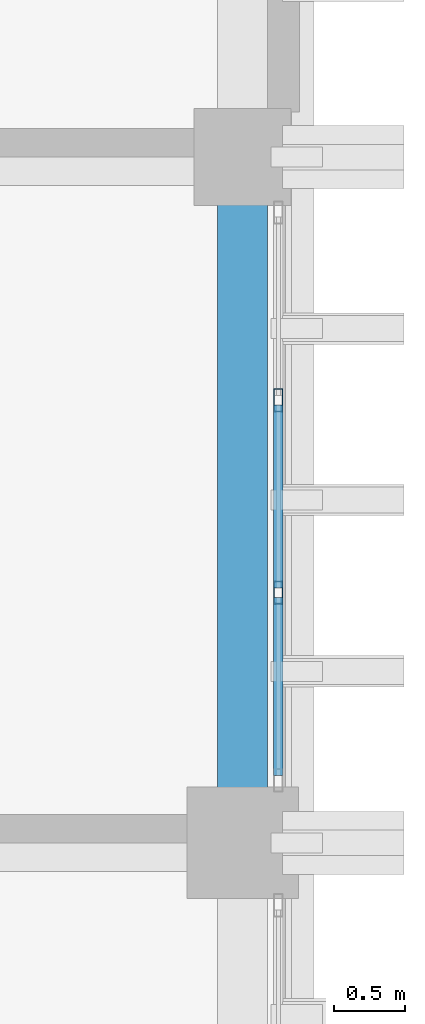
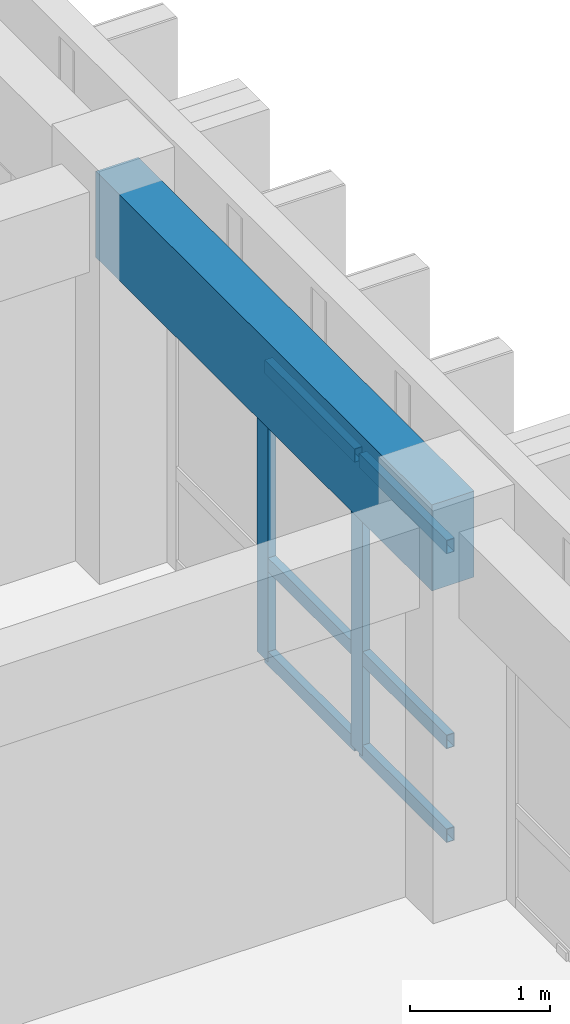
# One storey, part 30 of 68: 8 members, 1 beam, 1 element without a shape of its own.
"""IFC4 building model written with IfcOpenShell, lengths in metres."""

from ifc_helpers import new_model, si_unit, direction, frame, origin, origin_2d, place, context, subcontext, project, spatial, rectangle, hollow_rectangle, extrude, material, layer, layer_set, material_profile, profile_set, type_object, element, aggregate, save


model = new_model("IFC4")

# Units and contexts
model_context = context("Model", 3, precision=1e-05, world=origin(), true_north=direction((0.0, 1.0)))
body_context = subcontext(model_context, "Body", "Model", "MODEL_VIEW")
ifc_project = project(units=[si_unit("LENGTHUNIT", "METRE"), si_unit("AREAUNIT", "SQUARE_METRE"), si_unit("VOLUMEUNIT", "CUBIC_METRE"), si_unit("PLANEANGLEUNIT", "RADIAN"), si_unit("MASSUNIT", "GRAM", prefix="KILO")], contexts=[model_context])

# Site, building, storey
site_placement = place(None, origin())
site = spatial("IfcSite", under=ifc_project, at=site_placement, CompositionType="ELEMENT")
building_placement = place(site_placement, origin())
building = spatial("IfcBuilding", under=site, at=building_placement, Name="Nakhvara Creek Congress Hotel", CompositionType="ELEMENT")
storey_placement = place(building_placement, frame((0.0, 0.0, 24.60009765625)))
storey = spatial("IfcBuildingStorey", under=building, at=storey_placement, Name="L05", CompositionType="ELEMENT", Elevation=24.60009765625)

# Beam
ifc_material_1 = material(Name="Concrete C40/50", Category="concrete")
ifc_material_profile_1 = material_profile(ifc_material_1, rectangle(XDim=0.35009765625, YDim=0.75, at=origin_2d()), Name="RC-SPANDREL 350x750", Category="LoadBearing")
ifc_profile_set_1 = profile_set([ifc_material_profile_1], Name="Concrete C40/50")
beam_type = type_object("IfcBeamType", Name="BM-SPN-350X750", PredefinedType="SPANDREL", material=ifc_profile_set_1)
beam_placement = place(storey_placement, frame((179.35009765625, 76.800048828125, 2.96484375), z_axis=(0.0, 1.0, 0.0), x_axis=(-1.0, 0.0, 0.0)))
element("IfcBeam", 1, at=beam_placement, inside=storey, type_object=beam_type, Name="Beam SP1-L05-2157", PredefinedType="SPANDREL", context=body_context, shape_type="SweptSolid", body=[
    extrude(rectangle(XDim=0.35009765625, YDim=0.75, at=origin_2d()), origin(), (0.0, 0.0, 1.0), 4.800048828125),
])

# Curtain wall, members
ifc_material_2 = material(Name="Bronze-anodised aluminium AW-6063-T6 and double-silver low-E glass", Category="aluminium")
ifc_layer = layer(ifc_material_2, 0.199951171875)
ifc_layer_set = layer_set([ifc_layer], Name="Bronze-anodised aluminium AW-6063-T6 and double-silver low-E glass")
curtain_wall_type = type_object("IfcCurtainWallType", Name="CW-HTL-UNIT", PredefinedType="USERDEFINED", material=ifc_layer_set)
curtain_wall_placement = place(storey_placement, origin())
curtain_wall = element("IfcCurtainWall", 2, at=curtain_wall_placement, inside=storey, type_object=curtain_wall_type, Name="Curtain Wall CW216", ObjectType="UNITISED", PredefinedType="USERDEFINED")
ifc_material_3 = material(Name="Bronze-anodised aluminium AW-6063-T6", Category="aluminium")
ifc_material_profile_2 = material_profile(ifc_material_3, hollow_rectangle(XDim=0.06494140625, YDim=0.159912109375, WallThickness=0.00390625, at=origin_2d()), Name="ALU-MULL 65x160x4", Category="LoadBearing")
ifc_profile_set_2 = profile_set([ifc_material_profile_2], Name="Bronze-anodised aluminium AW-6063-T6")
member_type_1 = type_object("IfcMemberType", Name="CW-MULL-160", PredefinedType="MULLION", material=ifc_profile_set_2)
member_1_placement = place(storey_placement, frame((179.60009765625, 79.8984375, 0.0), z_axis=(0.0, 0.0, 1.0), x_axis=(1.0, 0.0, 0.0)))
member_1 = element("IfcMember", 3, at=member_1_placement, type_object=member_type_1, Name="CW216 mullion 2", PredefinedType="MULLION", context=body_context, shape_type="SweptSolid", body=[
    extrude(hollow_rectangle(XDim=0.06494140625, YDim=0.159912109375, WallThickness=0.00390625, at=origin_2d()), origin(), (0.0, 0.0, 1.0), 2.581787109375),
])
member_2_placement = place(storey_placement, frame((179.60009765625, 78.5517578125, 0.0), z_axis=(0.0, 0.0, 1.0), x_axis=(1.0, 0.0, 0.0)))
member_2 = element("IfcMember", 4, at=member_2_placement, type_object=member_type_1, Name="CW216 mullion 3", PredefinedType="MULLION", context=body_context, shape_type="SweptSolid", body=[
    extrude(hollow_rectangle(XDim=0.06494140625, YDim=0.159912109375, WallThickness=0.00390625, at=origin_2d()), origin(), (0.0, 0.0, 1.0), 2.581787109375),
])
ifc_material_profile_3 = material_profile(ifc_material_3, hollow_rectangle(XDim=0.06494140625, YDim=0.1201171875, WallThickness=0.00390625, at=origin_2d()), Name="ALU-TRAN 65x120x4", Category="LoadBearing")
ifc_profile_set_3 = profile_set([ifc_material_profile_3], Name="Bronze-anodised aluminium AW-6063-T6")
member_type_2 = type_object("IfcMemberType", Name="CW-TRAN-120", PredefinedType="USERDEFINED", material=ifc_profile_set_3)
member_3_placement = place(storey_placement, frame((179.60009765625, 79.86572265625, 0.032470703125), z_axis=(0.0, -1.0, 0.0), x_axis=(1.0, 0.0, 0.0)))
member_3 = element("IfcMember", 5, at=member_3_placement, type_object=member_type_2, Name="CW216 transom 2.1", ObjectType="TRANSOM", PredefinedType="USERDEFINED", context=body_context, shape_type="SweptSolid", body=[
    extrude(hollow_rectangle(XDim=0.06494140625, YDim=0.1201171875, WallThickness=0.00390625, at=origin_2d()), origin(), (0.0, 0.0, 1.0), 1.281494140625),
])
member_4_placement = place(storey_placement, frame((179.60009765625, 79.86572265625, 0.849853515625), z_axis=(0.0, -1.0, 0.0), x_axis=(1.0, 0.0, 0.0)))
member_4 = element("IfcMember", 6, at=member_4_placement, type_object=member_type_2, Name="CW216 transom 2.2", ObjectType="TRANSOM", PredefinedType="USERDEFINED", context=body_context, shape_type="SweptSolid", body=[
    extrude(hollow_rectangle(XDim=0.06494140625, YDim=0.1201171875, WallThickness=0.00390625, at=origin_2d()), origin(), (0.0, 0.0, 1.0), 1.281494140625),
])
member_5_placement = place(storey_placement, frame((179.60009765625, 79.86572265625, 2.54931640625), z_axis=(0.0, -1.0, 0.0), x_axis=(1.0, 0.0, 0.0)))
member_5 = element("IfcMember", 7, at=member_5_placement, type_object=member_type_2, Name="CW216 transom 2.3", ObjectType="TRANSOM", PredefinedType="USERDEFINED", context=body_context, shape_type="SweptSolid", body=[
    extrude(hollow_rectangle(XDim=0.06494140625, YDim=0.1201171875, WallThickness=0.00390625, at=origin_2d()), origin(), (0.0, 0.0, 1.0), 1.281494140625),
])
member_6_placement = place(storey_placement, frame((179.60009765625, 78.519287109375, 0.032470703125), z_axis=(0.0, -1.0, 0.0), x_axis=(1.0, 0.0, 0.0)))
member_6 = element("IfcMember", 8, at=member_6_placement, type_object=member_type_2, Name="CW216 transom 3.1", ObjectType="TRANSOM", PredefinedType="USERDEFINED", context=body_context, shape_type="SweptSolid", body=[
    extrude(hollow_rectangle(XDim=0.06494140625, YDim=0.1201171875, WallThickness=0.00390625, at=origin_2d()), origin(), (0.0, 0.0, 1.0), 1.249267578125),
])
member_7_placement = place(storey_placement, frame((179.60009765625, 78.519287109375, 0.849853515625), z_axis=(0.0, -1.0, 0.0), x_axis=(1.0, 0.0, 0.0)))
member_7 = element("IfcMember", 9, at=member_7_placement, type_object=member_type_2, Name="CW216 transom 3.2", ObjectType="TRANSOM", PredefinedType="USERDEFINED", context=body_context, shape_type="SweptSolid", body=[
    extrude(hollow_rectangle(XDim=0.06494140625, YDim=0.1201171875, WallThickness=0.00390625, at=origin_2d()), origin(), (0.0, 0.0, 1.0), 1.249267578125),
])
member_8_placement = place(storey_placement, frame((179.60009765625, 78.519287109375, 2.54931640625), z_axis=(0.0, -1.0, 0.0), x_axis=(1.0, 0.0, 0.0)))
member_8 = element("IfcMember", 10, at=member_8_placement, type_object=member_type_2, Name="CW216 transom 3.3", ObjectType="TRANSOM", PredefinedType="USERDEFINED", context=body_context, shape_type="SweptSolid", body=[
    extrude(hollow_rectangle(XDim=0.06494140625, YDim=0.1201171875, WallThickness=0.00390625, at=origin_2d()), origin(), (0.0, 0.0, 1.0), 1.249267578125),
])
aggregate(curtain_wall, [member_1, member_2, member_3, member_4, member_5, member_6, member_7, member_8])

save(model, "model.ifc")
